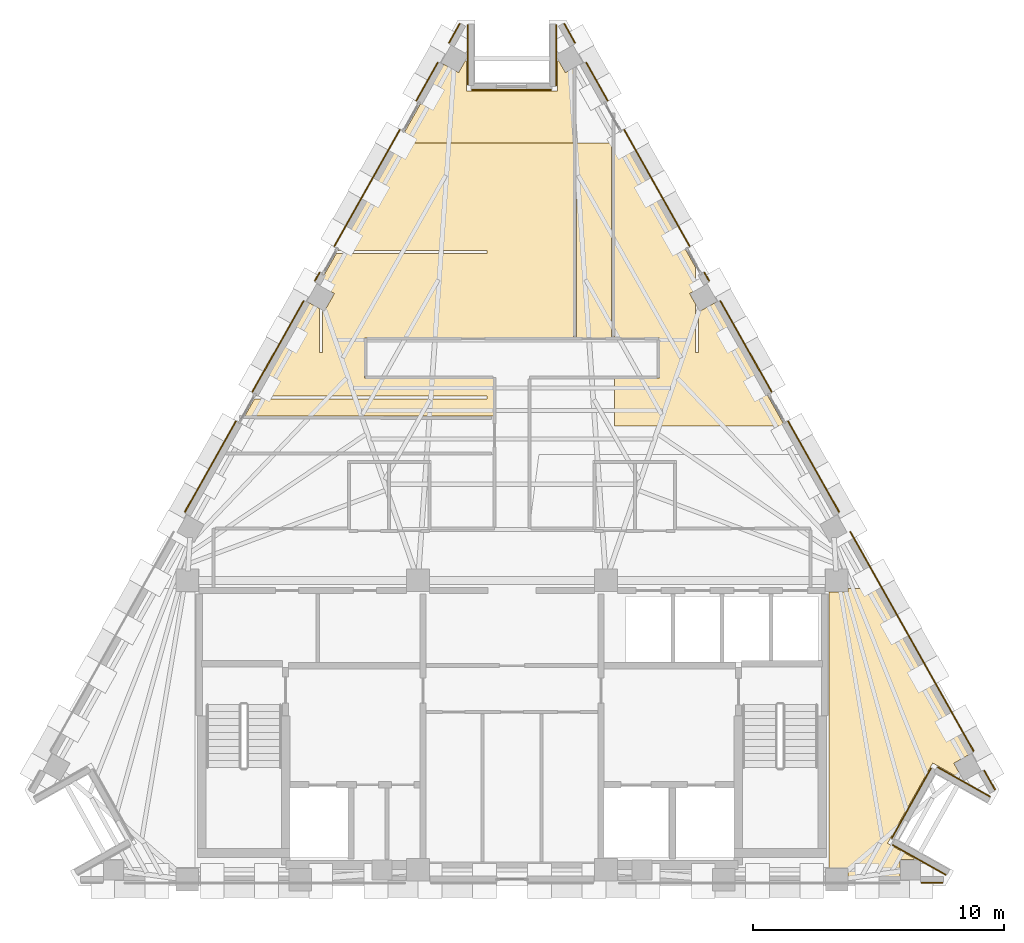
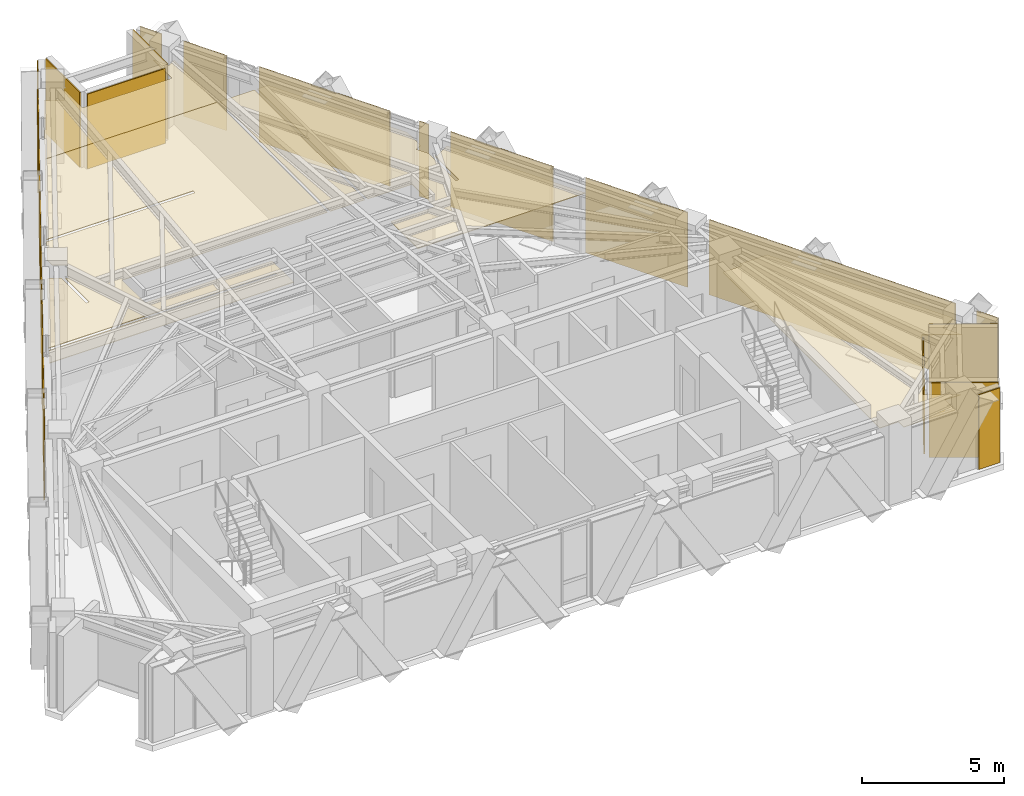
# One storey, part 9 of 9: 26 coverings.
"""IFC4 building model written with IfcOpenShell, lengths in metres."""

from ifc_helpers import new_model, si_unit, direction, frame, origin, place, context, subcontext, project, spatial, polyline, outline, extrude, material, layer, layer_set, type_object, element, save


model = new_model("IFC4")

# Units and contexts
model_context = context("Model", 3, precision=1e-05, world=origin(), true_north=direction((0.0, 1.0)))
body_context = subcontext(model_context, "Body", "Model", "MODEL_VIEW")
ifc_project = project(units=[si_unit("LENGTHUNIT", "METRE"), si_unit("AREAUNIT", "SQUARE_METRE"), si_unit("VOLUMEUNIT", "CUBIC_METRE"), si_unit("PLANEANGLEUNIT", "RADIAN"), si_unit("MASSUNIT", "GRAM", prefix="KILO")], contexts=[model_context])

# Site, building, storey
site_placement = place(None, origin())
site = spatial("IfcSite", under=ifc_project, at=site_placement, CompositionType="ELEMENT")
building_placement = place(site_placement, origin())
building = spatial("IfcBuilding", under=site, at=building_placement, Name="Quenlor Broadcast Tower", CompositionType="ELEMENT")
storey_placement = place(building_placement, frame((0.0, 0.0, 256.89990234375)))
storey = spatial("IfcBuildingStorey", under=building, at=storey_placement, Name="L71", CompositionType="ELEMENT", Elevation=256.89990234375)

# Coverings
ifc_material_1 = material(Name="Acoustic Mineral Fibre Board", Category="other")
ifc_layer_1 = layer(ifc_material_1, 0.02490234375)
ifc_layer_set_1 = layer_set([ifc_layer_1], Name="Acoustic Perforated Mineral Tile Ceiling 25")
covering_type_1 = type_object("IfcCoveringType", Name="Acoustic Perforated Mineral Tile Ceiling 25", PredefinedType="CEILING", material=ifc_layer_set_1)
covering_1_placement = place(storey_placement, frame((0.0, 0.0, 2.714599609375)))
element("IfcCovering", 1, at=covering_1_placement, inside=storey, type_object=covering_type_1, Name="L71 Acoustic Ceiling L71-26", PredefinedType="CEILING", context=body_context, shape_type="SweptSolid", body=[
    extrude(outline(polyline([(3.96728515625, 4.8798828125), (2.56396484375, 4.8798828125), (2.56396484375, 12.64990234375), (3.96728515625, 12.64990234375), (3.96728515625, 4.8798828125)])), origin(), (0.0, 0.0, 1.0), 0.025146484375),
])
covering_2_placement = place(storey_placement, frame((0.0, 0.0, 2.714599609375)))
element("IfcCovering", 2, at=covering_2_placement, inside=storey, type_object=covering_type_1, Name="L71 Acoustic Ceiling L71-27", PredefinedType="CEILING", context=body_context, shape_type="SweptSolid", body=[
    extrude(outline(polyline([(-7.679931640625, 6.042724609375), (-7.679931640625, 4.300048828125), (-7.56005859375, 4.300048828125), (-7.56005859375, 5.975341796875), (-7.48583984375, 5.93359375), (-7.0859375, 6.64501953125), (-7.56005859375, 6.91162109375), (-7.56005859375, 7.2666015625), (-7.012451171875, 8.239990234375), (-1.0, 8.239990234375), (-1.0, 8.360107421875), (-6.94482421875, 8.360107421875), (-4.53173828125, 12.64990234375), (2.444091796875, 12.64990234375), (2.444091796875, 4.8798828125), (-5.8798828125, 4.8798828125), (-5.8798828125, 3.27001953125), (-0.72998046875, 3.27001953125), (-0.72998046875, 1.752685546875), (-10.66162109375, 1.752685546875), (-10.27490234375, 2.43994140625), (-1.0, 2.43994140625), (-1.0, 2.56005859375), (-10.20751953125, 2.56005859375), (-8.11181640625, 6.28564453125), (-7.679931640625, 6.042724609375)])), origin(), (0.0, 0.0, 1.0), 0.025146484375),
])
covering_3_placement = place(storey_placement, frame((0.0, 0.0, 2.714599609375)))
element("IfcCovering", 3, at=covering_3_placement, inside=storey, type_object=covering_type_1, Name="L71 Acoustic Ceiling L71-27-2", PredefinedType="CEILING", context=body_context, shape_type="SweptSolid", body=[
    extrude(outline(polyline([(-2.7548828125, 15.808837890625), (-2.129150390625, 15.456787109375), (-1.808837890625, 16.0263671875), (-1.808837890625, 14.719970703125), (1.808837890625, 14.719970703125), (1.808837890625, 16.0263671875), (2.129150390625, 15.456787109375), (2.444091796875, 15.634033203125), (2.444091796875, 12.64990234375), (-4.53173828125, 12.64990234375), (-2.7548828125, 15.808837890625)])), origin(), (0.0, 0.0, 1.0), 0.025146484375),
])
covering_4_placement = place(storey_placement, frame((0.0, 0.0, 2.714599609375)))
element("IfcCovering", 4, at=covering_4_placement, inside=storey, type_object=covering_type_1, Name="L71 Acoustic Ceiling L71-28", PredefinedType="CEILING", context=body_context, shape_type="SweptSolid", body=[
    extrude(outline(polyline([(7.48583984375, 5.93359375), (8.11181640625, 6.28564453125), (10.88232421875, 1.360107421875), (4.08740234375, 1.360107421875), (4.08740234375, 3.27001953125), (5.8798828125, 3.27001953125), (5.8798828125, 4.8798828125), (4.08740234375, 4.8798828125), (4.08740234375, 12.64990234375), (4.53173828125, 12.64990234375), (7.320068359375, 7.693115234375), (7.320068359375, 6.776611328125), (7.0859375, 6.64501953125), (7.320068359375, 6.228515625), (7.320068359375, 4.300048828125), (7.43994140625, 4.300048828125), (7.43994140625, 6.015380859375), (7.48583984375, 5.93359375)])), origin(), (0.0, 0.0, 1.0), 0.025146484375),
])
covering_5_placement = place(storey_placement, frame((0.0, 0.0, 2.714599609375)))
element("IfcCovering", 5, at=covering_5_placement, inside=storey, type_object=covering_type_1, Name="L71 Acoustic Ceiling L71-31-2", PredefinedType="CEILING", context=body_context, shape_type="SweptSolid", body=[
    extrude(outline(polyline([(13.407958984375, -5.1201171875), (14.52734375, -5.1201171875), (18.25244140625, -11.7421875), (17.626708984375, -12.09423828125), (18.0087890625, -12.773681640625), (16.785888671875, -12.085693359375), (14.983642578125, -15.28955078125), (16.1435546875, -15.94189453125), (15.489501953125, -15.94189453125), (15.489501953125, -16.659912109375), (13.407958984375, -16.659912109375), (13.407958984375, -16.2919921875), (12.64990234375, -16.2919921875), (12.64990234375, -5.258056640625), (13.407958984375, -5.258056640625), (13.407958984375, -5.1201171875)])), origin(), (0.0, 0.0, 1.0), 0.025146484375),
])
ifc_material_2 = material(Name="Architectural Terracotta Ceramic", Category="masonry")
ifc_layer_2 = layer(ifc_material_2, 0.044921875)
ifc_layer_set_2 = layer_set([ifc_layer_2], Name="Fluted Terracotta Rainscreen Cladding Panel")
covering_type_2 = type_object("IfcCoveringType", Name="Fluted Terracotta Rainscreen Cladding Panel", PredefinedType="CLADDING", material=ifc_layer_set_2)
covering_6_placement = place(storey_placement, frame((0.0, 0.0, 0.02001953125)))
element("IfcCovering", 6, at=covering_6_placement, inside=storey, type_object=covering_type_2, Name="L71 Terracotta Rainscreen Cladding L71-SHD-SS0", PredefinedType="CLADDING", context=body_context, shape_type="SweptSolid", body=[
    extrude(outline(polyline([(17.18994140625, -16.8369140625), (16.33251953125, -16.8369140625), (16.33251953125, -16.882080078125), (17.18994140625, -16.882080078125), (17.18994140625, -16.8369140625)])), origin(), (0.0, 0.0, 1.0), 3.2099609375),
])
covering_7_placement = place(storey_placement, frame((0.0, 0.0, 0.02001953125)))
element("IfcCovering", 7, at=covering_7_placement, inside=storey, type_object=covering_type_2, Name="L71 Terracotta Rainscreen Cladding L71-SHD-NES0", PredefinedType="CLADDING", context=body_context, shape_type="SweptSolid", body=[
    extrude(outline(polyline([(2.06201171875, 17.401611328125), (2.495849609375, 16.630615234375), (2.534912109375, 16.652587890625), (2.101318359375, 17.423583984375), (2.06201171875, 17.401611328125)])), origin(), (0.0, 0.0, 1.0), 3.2099609375),
])
covering_8_placement = place(storey_placement, frame((0.0, 0.0, 0.02001953125)))
element("IfcCovering", 8, at=covering_8_placement, inside=storey, type_object=covering_type_2, Name="L71 Terracotta Rainscreen Cladding L71-SHD-NES1", PredefinedType="CLADDING", context=body_context, shape_type="SweptSolid", body=[
    extrude(outline(polyline([(18.820068359375, -12.39013671875), (19.25390625, -13.161376953125), (19.29296875, -13.139404296875), (18.859130859375, -12.3681640625), (18.820068359375, -12.39013671875)])), origin(), (0.0, 0.0, 1.0), 3.2099609375),
])
covering_9_placement = place(storey_placement, frame((0.0, 0.0, 0.02001953125)))
element("IfcCovering", 9, at=covering_9_placement, inside=storey, type_object=covering_type_2, Name="L71 Terracotta Rainscreen Cladding L71-NEA-SP1", PredefinedType="CLADDING", context=body_context, shape_type="SweptSolid", body=[
    extrude(outline(polyline([(2.94091796875, 15.859619140625), (3.8037109375, 14.325927734375), (3.8427734375, 14.347900390625), (2.980224609375, 15.881591796875), (2.94091796875, 15.859619140625)])), origin(), (0.0, 0.0, 1.0), 3.2099609375),
])
covering_10_placement = place(storey_placement, frame((0.0, 0.0, 0.02001953125)))
element("IfcCovering", 10, at=covering_10_placement, inside=storey, type_object=covering_type_2, Name="L71 Terracotta Rainscreen Cladding L71-NEA-SP2", PredefinedType="CLADDING", context=body_context, shape_type="SweptSolid", body=[
    extrude(outline(polyline([(4.450927734375, 13.17529296875), (7.0732421875, 8.51318359375), (7.1123046875, 8.53515625), (4.490234375, 13.197265625), (4.450927734375, 13.17529296875)])), origin(), (0.0, 0.0, 1.0), 3.2099609375),
])
covering_11_placement = place(storey_placement, frame((0.0, 0.0, 0.02001953125)))
element("IfcCovering", 11, at=covering_11_placement, inside=storey, type_object=covering_type_2, Name="L71 Terracotta Rainscreen Cladding L71-NEA-SP3", PredefinedType="CLADDING", context=body_context, shape_type="SweptSolid", body=[
    extrude(outline(polyline([(7.655517578125, 7.478271484375), (7.8515625, 7.129638671875), (7.890625, 7.151611328125), (7.694580078125, 7.500244140625), (7.655517578125, 7.478271484375)])), origin(), (0.0, 0.0, 1.0), 3.2099609375),
])
covering_12_placement = place(storey_placement, frame((0.0, 0.0, 0.02001953125)))
element("IfcCovering", 12, at=covering_12_placement, inside=storey, type_object=covering_type_2, Name="L71 Terracotta Rainscreen Cladding L71-EW-NEC", PredefinedType="CLADDING", context=body_context, shape_type="SweptSolid", body=[
    extrude(outline(polyline([(13.471923828125, -2.862060546875), (18.402099609375, -11.626953125), (18.44140625, -11.60498046875), (13.51123046875, -2.840087890625), (13.471923828125, -2.862060546875)])), origin(), (0.0, 0.0, 1.0), 3.2099609375),
])
covering_13_placement = place(storey_placement, frame((0.0, 0.0, 0.02001953125)))
element("IfcCovering", 13, at=covering_13_placement, inside=storey, type_object=covering_type_2, Name="L71 Terracotta Rainscreen Cladding L71-NE-SP1", PredefinedType="CLADDING", context=body_context, shape_type="SweptSolid", body=[
    extrude(outline(polyline([(8.295166015625, 6.3408203125), (10.343017578125, 2.700439453125), (10.382080078125, 2.722412109375), (8.33447265625, 6.36279296875), (8.295166015625, 6.3408203125)])), origin(), (0.0, 0.0, 1.0), 3.2099609375),
])
covering_14_placement = place(storey_placement, frame((0.0, 0.0, 0.02001953125)))
element("IfcCovering", 14, at=covering_14_placement, inside=storey, type_object=covering_type_2, Name="L71 Terracotta Rainscreen Cladding L71-NE-SP2", PredefinedType="CLADDING", context=body_context, shape_type="SweptSolid", body=[
    extrude(outline(polyline([(10.990234375, 1.5498046875), (13.0380859375, -2.0908203125), (13.0771484375, -2.068603515625), (11.029541015625, 1.57177734375), (10.990234375, 1.5498046875)])), origin(), (0.0, 0.0, 1.0), 3.2099609375),
])
covering_15_placement = place(storey_placement, frame((0.0, 0.0, 0.02001953125)))
element("IfcCovering", 15, at=covering_15_placement, inside=storey, type_object=covering_type_2, Name="L71 Terracotta Rainscreen Cladding L71-SHD-NWS1", PredefinedType="CLADDING", context=body_context, shape_type="SweptSolid", body=[
    extrude(outline(polyline([(-2.495849609375, 16.630615234375), (-2.06201171875, 17.401611328125), (-2.101318359375, 17.423583984375), (-2.534912109375, 16.652587890625), (-2.495849609375, 16.630615234375)])), origin(), (0.0, 0.0, 1.0), 3.2099609375),
])
covering_16_placement = place(storey_placement, frame((0.0, 0.0, 0.02001953125)))
element("IfcCovering", 16, at=covering_16_placement, inside=storey, type_object=covering_type_2, Name="L71 Terracotta Rainscreen Cladding L71-NWC-SP1", PredefinedType="CLADDING", context=body_context, shape_type="SweptSolid", body=[
    extrude(outline(polyline([(-7.8515625, 7.129638671875), (-7.655517578125, 7.478271484375), (-7.694580078125, 7.500244140625), (-7.890625, 7.151611328125), (-7.8515625, 7.129638671875)])), origin(), (0.0, 0.0, 1.0), 3.2099609375),
])
covering_17_placement = place(storey_placement, frame((0.0, 0.0, 0.02001953125)))
element("IfcCovering", 17, at=covering_17_placement, inside=storey, type_object=covering_type_2, Name="L71 Terracotta Rainscreen Cladding L71-NWC-SP2", PredefinedType="CLADDING", context=body_context, shape_type="SweptSolid", body=[
    extrude(outline(polyline([(-7.0732421875, 8.51318359375), (-4.450927734375, 13.17529296875), (-4.490234375, 13.197265625), (-7.1123046875, 8.53515625), (-7.0732421875, 8.51318359375)])), origin(), (0.0, 0.0, 1.0), 3.2099609375),
])
covering_18_placement = place(storey_placement, frame((0.0, 0.0, 0.02001953125)))
element("IfcCovering", 18, at=covering_18_placement, inside=storey, type_object=covering_type_2, Name="L71 Terracotta Rainscreen Cladding L71-NWC-SP3", PredefinedType="CLADDING", context=body_context, shape_type="SweptSolid", body=[
    extrude(outline(polyline([(-3.8037109375, 14.325927734375), (-2.94091796875, 15.859619140625), (-2.980224609375, 15.881591796875), (-3.8427734375, 14.347900390625), (-3.8037109375, 14.325927734375)])), origin(), (0.0, 0.0, 1.0), 3.2099609375),
])
covering_19_placement = place(storey_placement, frame((0.0, 0.0, 0.02001953125)))
element("IfcCovering", 19, at=covering_19_placement, inside=storey, type_object=covering_type_2, Name="L71 Terracotta Rainscreen Cladding L71-NW-SP1", PredefinedType="CLADDING", context=body_context, shape_type="SweptSolid", body=[
    extrude(outline(polyline([(-13.0380859375, -2.0908203125), (-10.990234375, 1.5498046875), (-11.029541015625, 1.57177734375), (-13.0771484375, -2.068603515625), (-13.0380859375, -2.0908203125)])), origin(), (0.0, 0.0, 1.0), 3.2099609375),
])
covering_20_placement = place(storey_placement, frame((0.0, 0.0, 0.02001953125)))
element("IfcCovering", 20, at=covering_20_placement, inside=storey, type_object=covering_type_2, Name="L71 Terracotta Rainscreen Cladding L71-NW-SP2", PredefinedType="CLADDING", context=body_context, shape_type="SweptSolid", body=[
    extrude(outline(polyline([(-10.343017578125, 2.700439453125), (-8.295166015625, 6.3408203125), (-8.33447265625, 6.36279296875), (-10.382080078125, 2.722412109375), (-10.343017578125, 2.700439453125)])), origin(), (0.0, 0.0, 1.0), 3.2099609375),
])
covering_21_placement = place(storey_placement, frame((0.0, 0.0, 0.02001953125)))
element("IfcCovering", 21, at=covering_21_placement, inside=storey, type_object=covering_type_2, Name="L71 Terracotta Rainscreen Cladding L71-CNR-01", PredefinedType="CLADDING", context=body_context, shape_type="SweptSolid", body=[
    extrude(outline(polyline([(17.32666015625, -16.529541015625), (15.199951171875, -15.333251953125), (15.177978515625, -15.372314453125), (17.3046875, -16.568603515625), (17.32666015625, -16.529541015625)])), origin(), (0.0, 0.0, 1.0), 3.2099609375),
])
covering_22_placement = place(storey_placement, frame((0.0, 0.0, 0.02001953125)))
element("IfcCovering", 22, at=covering_22_placement, inside=storey, type_object=covering_type_2, Name="L71 Terracotta Rainscreen Cladding L71-CNR-02", PredefinedType="CLADDING", context=body_context, shape_type="SweptSolid", body=[
    extrude(outline(polyline([(15.16552734375, -15.10498046875), (16.7421875, -12.302001953125), (16.702880859375, -12.280029296875), (15.126220703125, -15.0830078125), (15.16552734375, -15.10498046875)])), origin(), (0.0, 0.0, 1.0), 2.749755859375),
])
covering_23_placement = place(storey_placement, frame((0.0, 0.0, 0.02001953125)))
element("IfcCovering", 23, at=covering_23_placement, inside=storey, type_object=covering_type_2, Name="L71 Terracotta Rainscreen Cladding L71-CNR-03", PredefinedType="CLADDING", context=body_context, shape_type="SweptSolid", body=[
    extrude(outline(polyline([(16.970458984375, -12.267578125), (19.062255859375, -13.444091796875), (19.084228515625, -13.405029296875), (16.992431640625, -12.228271484375), (16.970458984375, -12.267578125)])), origin(), (0.0, 0.0, 1.0), 3.2099609375),
])
covering_24_placement = place(storey_placement, frame((0.0, 0.0, 0.02001953125)))
element("IfcCovering", 24, at=covering_24_placement, inside=storey, type_object=covering_type_2, Name="L71 Terracotta Rainscreen Cladding L71-CNR-07", PredefinedType="CLADDING", context=body_context, shape_type="SweptSolid", body=[
    extrude(outline(polyline([(1.74072265625, 17.3701171875), (1.74072265625, 14.929931640625), (1.785888671875, 14.929931640625), (1.785888671875, 17.3701171875), (1.74072265625, 17.3701171875)])), origin(), (0.0, 0.0, 1.0), 3.2099609375),
])
covering_25_placement = place(storey_placement, frame((0.0, 0.0, 0.02001953125)))
element("IfcCovering", 25, at=covering_25_placement, inside=storey, type_object=covering_type_2, Name="L71 Terracotta Rainscreen Cladding L71-CNR-08", PredefinedType="CLADDING", context=body_context, shape_type="SweptSolid", body=[
    extrude(outline(polyline([(1.558837890625, 14.7880859375), (-1.598876953125, 14.7880859375), (-1.598876953125, 14.742919921875), (1.558837890625, 14.742919921875), (1.558837890625, 14.7880859375)])), origin(), (0.0, 0.0, 1.0), 3.2099609375),
])
covering_26_placement = place(storey_placement, frame((0.0, 0.0, 0.02001953125)))
element("IfcCovering", 26, at=covering_26_placement, inside=storey, type_object=covering_type_2, Name="L71 Terracotta Rainscreen Cladding L71-CNR-09", PredefinedType="CLADDING", context=body_context, shape_type="SweptSolid", body=[
    extrude(outline(polyline([(-1.74072265625, 14.969970703125), (-1.74072265625, 17.3701171875), (-1.785888671875, 17.3701171875), (-1.785888671875, 14.969970703125), (-1.74072265625, 14.969970703125)])), origin(), (0.0, 0.0, 1.0), 3.2099609375),
])

save(model, "model.ifc")
